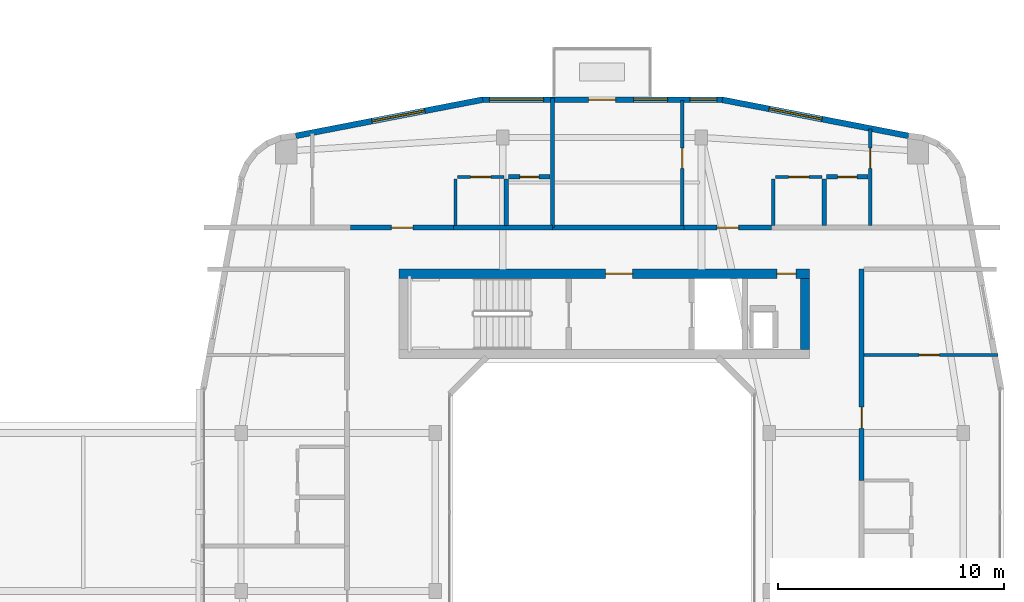
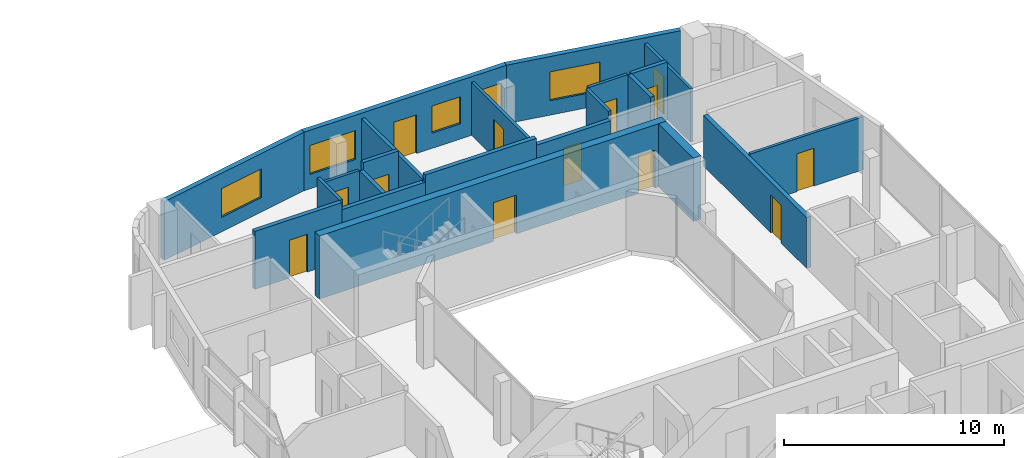
# One storey, part 15 of 22: 22 walls, 13 doors, 5 windows, 18 openings.
"""IFC4 building model written with IfcOpenShell, lengths in metres."""

from ifc_helpers import new_model, si_unit, derived_unit, direction, frame, frame_2d, origin, place, context, subcontext, project, spatial, rectangle, extrude, material, layer, layer_set, type_object, element, fill, save


model = new_model("IFC4")

# Units and contexts
model_context = context("Model", 3, precision=1e-05, world=origin(), true_north=direction((0.0, 1.0)))
body_context = subcontext(model_context, "Body", "Model", "MODEL_VIEW")
ifc_project = project(units=[si_unit("LENGTHUNIT", "METRE"), si_unit("AREAUNIT", "SQUARE_METRE"), si_unit("VOLUMEUNIT", "CUBIC_METRE"), si_unit("PLANEANGLEUNIT", "RADIAN"), si_unit("MASSUNIT", "GRAM", prefix="KILO"), derived_unit("THERMALTRANSMITTANCEUNIT", [(si_unit("POWERUNIT", "WATT"), 1), (si_unit("LENGTHUNIT", "METRE"), -2), (si_unit("THERMODYNAMICTEMPERATUREUNIT", "KELVIN"), -1)])], contexts=[model_context])

# Site, building, storey
site_placement = place(None, origin())
site = spatial("IfcSite", under=ifc_project, at=site_placement, CompositionType="ELEMENT")
building_placement = place(site_placement, origin())
building = spatial("IfcBuilding", under=site, at=building_placement, Name="Kivonza Crest Hotel", CompositionType="ELEMENT")
storey_placement = place(building_placement, frame((0.0, 0.0, 124.0)))
storey = spatial("IfcBuildingStorey", under=building, at=storey_placement, Name="L33", CompositionType="ELEMENT", Elevation=124.0)

# Walls
ifc_material_1 = material(Name="High-density acoustic masonry inter-tenancy wall", Category="masonry")
ifc_layer_1 = layer(ifc_material_1, 0.179931640625)
ifc_layer_set_1 = layer_set([ifc_layer_1], Name="High-density acoustic masonry inter-tenancy wall")
wall_type_1 = type_object("IfcWallType", Name="WL-ACOU-180", PredefinedType="SOLIDWALL", material=ifc_layer_set_1)
wall_1_placement = place(storey_placement, frame((74.800048828125, 37.60009765625, 0.0), z_axis=(0.0, 0.0, 1.0), x_axis=(0.0, 1.0, 0.0)))
element("IfcWall", 1, at=wall_1_placement, inside=storey, type_object=wall_type_1, Name="L33 interior partition WA-L33-T2N-DIV1", PredefinedType="SOLIDWALL", context=body_context, shape_type="SweptSolid", body=[
    extrude(rectangle(XDim=5.739990234375, YDim=0.179931640625, at=frame_2d((2.8701171875, 0.0))), origin(), (0.0, 0.0, 1.0), 2.945068359375),
])
ifc_material_2 = material(Name="Autoclaved aerated concrete blockwork", Category="masonry")
ifc_layer_2 = layer(ifc_material_2, 0.219970703125)
ifc_layer_set_2 = layer_set([ifc_layer_2], Name="Autoclaved aerated concrete blockwork")
wall_type_2 = type_object("IfcWallType", Name="WL-ACOU-220", PredefinedType="SOLIDWALL", material=ifc_layer_set_2)
wall_2_placement = place(storey_placement, frame((70.419921875, 37.60009765625, 0.0), z_axis=(0.0, 0.0, 1.0), x_axis=(1.0, 0.0, 0.0)))
element("IfcWall", 2, at=wall_2_placement, inside=storey, type_object=wall_type_2, Name="L33 interior partition WA-L33-A01-RCORR", PredefinedType="SOLIDWALL", context=body_context, shape_type="SweptSolid", body=[
    extrude(rectangle(XDim=4.380126953125, YDim=0.219970703125, at=frame_2d((2.18994140625, 0.0))), origin(), (0.0, 0.0, 1.0), 2.824951171875),
])

# Wall, opening, door
wall_3_placement = place(storey_placement, frame((65.85009765625, 37.60009765625, 0.0), z_axis=(0.0, 0.0, 1.0), x_axis=(1.0, 0.0, 0.0)))
wall_3 = element("IfcWall", 3, at=wall_3_placement, inside=storey, type_object=wall_type_2, Name="L33 interior partition WA-L33-A01-MCORR", PredefinedType="SOLIDWALL", context=body_context, shape_type="SweptSolid", body=[
    extrude(rectangle(XDim=4.56982421875, YDim=0.219970703125, at=frame_2d((2.284912109375, 0.0))), origin(), (0.0, 0.0, 1.0), 3.219970703125),
])
opening_1_placement = place(wall_3_placement, frame((1.81005859375, 0.0, 0.0)))
opening_1 = element("IfcOpeningElement", 4, at=opening_1_placement, cuts=wall_3, Name="Opening DU-60", PredefinedType="OPENING", context=body_context, shape_type="SweptSolid", body=[
    extrude(rectangle(XDim=0.949951171875, YDim=2.10009765625, at=frame_2d((0.47509765625, 1.050048828125))), frame((0.0, 0.1201171875, 0.0), z_axis=(0.0, -1.0, 0.0), x_axis=(1.0, 0.0, 0.0)), (0.0, 0.0, 1.0), 0.239990234375),
])
ifc_material_3 = material(Name="Hardwood timber oak", Category="wood")
door_type_1 = type_object("IfcDoorType", Name="DR-UNIT-950", OperationType="NOTDEFINED", PredefinedType="DOOR", material=ifc_material_3)
door_1_placement = place(opening_1_placement, origin())
door_1 = element("IfcDoor", 5, at=door_1_placement, inside=storey, type_object=door_type_1, Name="L33 A01 apartment entrance fire door", OperationType="SINGLE_SWING_LEFT", OverallHeight=2.10009765625, OverallWidth=0.949951171875, PredefinedType="DOOR", context=body_context, shape_type="SweptSolid", body=[
    extrude(rectangle(XDim=0.949951171875, YDim=2.10009765625, at=frame_2d((0.47509765625, 1.050048828125))), frame((0.0, 0.02490234375, 0.0), z_axis=(0.0, -1.0, 0.0), x_axis=(1.0, 0.0, 0.0)), (0.0, 0.0, 1.0), 0.050048828125),
])
fill(opening_1, door_1)

# Wall
wall_4_placement = place(storey_placement, frame((74.800048828125, 37.60009765625, 0.0), z_axis=(0.0, 0.0, 1.0), x_axis=(1.0, 0.0, 0.0)))
element("IfcWall", 6, at=wall_4_placement, inside=storey, type_object=wall_type_2, Name="L33 interior partition WA-L33-A02-LCORR", PredefinedType="SOLIDWALL", context=body_context, shape_type="SweptSolid", body=[
    extrude(rectangle(XDim=5.829833984375, YDim=0.219970703125, at=frame_2d((2.9150390625, 0.0))), origin(), (0.0, 0.0, 1.0), 3.219970703125),
])

# Wall, opening, door
wall_5_placement = place(storey_placement, frame((80.6298828125, 37.60009765625, 0.0), z_axis=(0.0, 0.0, 1.0), x_axis=(1.0, 0.0, 0.0)))
wall_5 = element("IfcWall", 7, at=wall_5_placement, inside=storey, type_object=wall_type_2, Name="L33 interior partition WA-L33-A02-MCORR", PredefinedType="SOLIDWALL", context=body_context, shape_type="SweptSolid", body=[
    extrude(rectangle(XDim=3.880126953125, YDim=0.219970703125, at=frame_2d((1.93994140625, 0.0))), origin(), (0.0, 0.0, 1.0), 2.824951171875),
])
opening_2_placement = place(wall_5_placement, frame((1.465087890625, 0.0, 0.0)))
opening_2 = element("IfcOpeningElement", 8, at=opening_2_placement, cuts=wall_5, Name="Opening DU-60", PredefinedType="OPENING", context=body_context, shape_type="SweptSolid", body=[
    extrude(rectangle(XDim=0.949951171875, YDim=2.10009765625, at=frame_2d((0.47509765625, 1.050048828125))), frame((0.0, 0.1201171875, 0.0), z_axis=(0.0, -1.0, 0.0), x_axis=(1.0, 0.0, 0.0)), (0.0, 0.0, 1.0), 0.239990234375),
])
door_2_placement = place(opening_2_placement, origin())
door_2 = element("IfcDoor", 9, at=door_2_placement, inside=storey, type_object=door_type_1, Name="L33 A02 apartment entrance fire door", OperationType="SINGLE_SWING_RIGHT", OverallHeight=2.10009765625, OverallWidth=0.949951171875, PredefinedType="DOOR", context=body_context, shape_type="SweptSolid", body=[
    extrude(rectangle(XDim=0.949951171875, YDim=2.10009765625, at=frame_2d((0.47509765625, 1.050048828125))), frame((0.0, 0.02490234375, 0.0), z_axis=(0.0, -1.0, 0.0), x_axis=(1.0, 0.0, 0.0)), (0.0, 0.0, 1.0), 0.050048828125),
])
fill(opening_2, door_2)

wall_6_placement = place(storey_placement, frame((88.5, 26.39990234375, 0.0), z_axis=(0.0, 0.0, 1.0), x_axis=(0.0, 1.0, 0.0)))
wall_6 = element("IfcWall", 10, at=wall_6_placement, inside=storey, type_object=wall_type_2, Name="L33 interior partition WA-L33-A09-MCORR", PredefinedType="SOLIDWALL", context=body_context, shape_type="SweptSolid", body=[
    extrude(rectangle(XDim=9.360107421875, YDim=0.219970703125, at=frame_2d((4.68017578125, 0.0))), origin(), (0.0, 0.0, 1.0), 2.824951171875),
])
opening_3_placement = place(wall_6_placement, frame((2.304931640625, 0.0, 0.0)))
opening_3 = element("IfcOpeningElement", 11, at=opening_3_placement, cuts=wall_6, Name="Opening DU-60", PredefinedType="OPENING", context=body_context, shape_type="SweptSolid", body=[
    extrude(rectangle(XDim=0.949951171875, YDim=2.10009765625, at=frame_2d((0.47509765625, 1.050048828125))), frame((0.0, 0.1201171875, 0.0), z_axis=(0.0, -1.0, 0.0), x_axis=(1.0, 0.0, 0.0)), (0.0, 0.0, 1.0), 0.239990234375),
])
door_3_placement = place(opening_3_placement, frame((0.949951171875, 0.0, 0.0), z_axis=(0.0, 0.0, 1.0), x_axis=(-1.0, 0.0, 0.0)))
door_3 = element("IfcDoor", 12, at=door_3_placement, inside=storey, type_object=door_type_1, Name="L33 A09 apartment entrance fire door", OperationType="SINGLE_SWING_LEFT", OverallHeight=2.10009765625, OverallWidth=0.949951171875, PredefinedType="DOOR", context=body_context, shape_type="SweptSolid", body=[
    extrude(rectangle(XDim=0.949951171875, YDim=2.10009765625, at=frame_2d((0.47509765625, 1.050048828125))), frame((0.0, 0.02490234375, 0.0), z_axis=(0.0, -1.0, 0.0), x_axis=(1.0, 0.0, 0.0)), (0.0, 0.0, 1.0), 0.050048828125),
])
fill(opening_3, door_3)

# Wall, openings, doors
ifc_material_4 = material(Name="Concrete C50/60", Category="concrete")
ifc_layer_3 = layer(ifc_material_4, 0.39990234375)
ifc_layer_set_3 = layer_set([ifc_layer_3], Name="Concrete C50/60")
wall_type_3 = type_object("IfcWallType", Name="WL-CORE-400", PredefinedType="SHEAR", material=ifc_layer_set_3)
wall_7_placement = place(storey_placement, frame((68.0, 35.56005859375, 0.0), z_axis=(0.0, 0.0, 1.0), x_axis=(1.0, 0.0, 0.0)))
wall_7 = element("IfcWall", 13, at=wall_7_placement, inside=storey, type_object=wall_type_3, Name="Core wall T2-N North L33", PredefinedType="SHEAR", context=body_context, shape_type="SweptSolid", body=[
    extrude(rectangle(XDim=18.199951171875, YDim=0.39990234375, at=frame_2d((9.10009765625, 0.0))), origin(), (0.0, 0.0, 1.0), 3.5),
])
opening_4_placement = place(wall_7_placement, frame((9.14990234375, 0.0, 0.0)))
opening_4 = element("IfcOpeningElement", 14, at=opening_4_placement, cuts=wall_7, Name="Opening DF-60", PredefinedType="OPENING", context=body_context, shape_type="SweptSolid", body=[
    extrude(rectangle(XDim=1.199951171875, YDim=2.14990234375, at=frame_2d((0.60009765625, 1.074951171875))), frame((0.0, 0.2099609375, 0.0), z_axis=(0.0, -1.0, 0.0), x_axis=(1.0, 0.0, 0.0)), (0.0, 0.0, 1.0), 0.419921875),
])
opening_5_placement = place(wall_7_placement, frame((16.75, 0.0, 0.0)))
opening_5 = element("IfcOpeningElement", 15, at=opening_5_placement, cuts=wall_7, Name="Opening DF-60R", PredefinedType="OPENING", context=body_context, shape_type="SweptSolid", body=[
    extrude(rectangle(XDim=0.85009765625, YDim=2.10009765625, at=frame_2d((0.425048828125, 1.050048828125))), frame((0.0, 0.2099609375, 0.0), z_axis=(0.0, -1.0, 0.0), x_axis=(1.0, 0.0, 0.0)), (0.0, 0.0, 1.0), 0.419921875),
])
door_type_2 = type_object("IfcDoorType", Name="DR-FD60-1200", OperationType="NOTDEFINED", PredefinedType="DOOR", material=ifc_material_3)
door_4_placement = place(opening_4_placement, origin())
door_4 = element("IfcDoor", 16, at=door_4_placement, inside=storey, type_object=door_type_2, Name="L33 T2-N firefighting lobby fire door", OperationType="SINGLE_SWING_RIGHT", OverallHeight=2.14990234375, OverallWidth=1.199951171875, PredefinedType="DOOR", context=body_context, shape_type="SweptSolid", body=[
    extrude(rectangle(XDim=1.199951171875, YDim=2.14990234375, at=frame_2d((0.60009765625, 1.074951171875))), frame((0.0, 0.02490234375, 0.0), z_axis=(0.0, -1.0, 0.0), x_axis=(1.0, 0.0, 0.0)), (0.0, 0.0, 1.0), 0.050048828125),
])
fill(opening_4, door_4)
door_type_3 = type_object("IfcDoorType", Name="DR-FD60-850", OperationType="NOTDEFINED", PredefinedType="DOOR", material=ifc_material_3)
door_5_placement = place(opening_5_placement, origin())
door_5 = element("IfcDoor", 17, at=door_5_placement, inside=storey, type_object=door_type_3, Name="L33 T2-N core room door", OperationType="SINGLE_SWING_RIGHT", OverallHeight=2.10009765625, OverallWidth=0.85009765625, PredefinedType="DOOR", context=body_context, shape_type="SweptSolid", body=[
    extrude(rectangle(XDim=0.85009765625, YDim=2.10009765625, at=frame_2d((0.425048828125, 1.050048828125))), frame((0.0, 0.02490234375, 0.0), z_axis=(0.0, -1.0, 0.0), x_axis=(1.0, 0.0, 0.0)), (0.0, 0.0, 1.0), 0.050048828125),
])
fill(opening_5, door_5)

# Wall
wall_8_placement = place(storey_placement, frame((86.0, 32.199951171875, 0.0), z_axis=(0.0, 0.0, 1.0), x_axis=(0.0, 1.0, 0.0)))
element("IfcWall", 18, at=wall_8_placement, inside=storey, type_object=wall_type_3, Name="Core wall T2-N East L33", PredefinedType="SHEAR", context=body_context, shape_type="SweptSolid", body=[
    extrude(rectangle(XDim=3.16015625, YDim=0.39990234375, at=frame_2d((1.580078125, 0.0))), origin(), (0.0, 0.0, 1.0), 3.5),
])

# Wall, opening, window
ifc_material_5 = material(Name="Precast concrete C40/50", Category="concrete")
ifc_layer_4 = layer(ifc_material_5, 0.260009765625)
ifc_layer_set_4 = layer_set([ifc_layer_4], Name="Precast concrete C40/50")
wall_type_4 = type_object("IfcWallType", Name="WL-EXT-260", PredefinedType="STANDARD", material=ifc_layer_set_4)
wall_9_placement = place(storey_placement, frame((90.5830078125, 41.669921875, 0.0), z_axis=(0.0, 0.0, 1.0), x_axis=(-0.98174070399, 0.190224052445, 0.0)))
wall_9 = element("IfcWall", 19, at=wall_9_placement, inside=storey, type_object=wall_type_4, Name="L33 T2 exterior insulated wall 25", PredefinedType="STANDARD", context=body_context, shape_type="SweptSolid", body=[
    extrude(rectangle(XDim=8.41162109375, YDim=0.260009765625, at=frame_2d((4.205810546875, 0.0))), origin(), (0.0, 0.0, 1.0), 3.25),
])
opening_6_placement = place(wall_9_placement, frame((3.905029296875, 0.0, 0.800048828125)))
opening_6 = element("IfcOpeningElement", 20, at=opening_6_placement, cuts=wall_9, Name="Opening WN-05", PredefinedType="OPENING", context=body_context, shape_type="SweptSolid", body=[
    extrude(rectangle(XDim=2.39990234375, YDim=1.60009765625, at=frame_2d((1.199951171875, 0.800048828125))), frame((0.0, 0.14013671875, 0.0), z_axis=(0.0, -1.0, 0.0), x_axis=(1.0, 0.0, 0.0)), (0.0, 0.0, 1.0), 0.280029296875),
])
ifc_material_6 = material(Name="Thermally broken bronze aluminium and low-E double glazing", Category="aluminium")
window_type_1 = type_object("IfcWindowType", Name="WN-240x160", PartitioningType="TRIPLE_PANEL_VERTICAL", PredefinedType="WINDOW", material=ifc_material_6)
window_1_placement = place(opening_6_placement, origin())
window_1 = element("IfcWindow", 21, at=window_1_placement, inside=storey, type_object=window_type_1, Name="L33 T2 facade window 25", OverallHeight=1.60009765625, OverallWidth=2.39990234375, PartitioningType="SINGLE_PANEL", PredefinedType="WINDOW", context=body_context, shape_type="SweptSolid", body=[
    extrude(rectangle(XDim=2.39990234375, YDim=1.60009765625, at=frame_2d((1.199951171875, 0.800048828125))), frame((0.0, 0.030029296875, 0.0), z_axis=(0.0, -1.0, 0.0), x_axis=(1.0, 0.0, 0.0)), (0.0, 0.0, 1.0), 0.06005859375),
])
fill(opening_6, window_1)

# Wall, openings, door, windows
wall_10_placement = place(storey_placement, frame((82.364990234375, 43.27001953125, 0.0), z_axis=(0.0, 0.0, 1.0), x_axis=(-1.0, 0.0, 0.0)))
wall_10 = element("IfcWall", 22, at=wall_10_placement, inside=storey, type_object=wall_type_4, Name="L33 T2 exterior insulated wall 26", PredefinedType="STANDARD", context=body_context, shape_type="SweptSolid", body=[
    extrude(rectangle(XDim=10.695068359375, YDim=0.260009765625, at=frame_2d((5.34765625, 0.0))), origin(), (0.0, 0.0, 1.0), 3.25),
])
opening_7_placement = place(wall_10_placement, frame((4.764892578125, 0.0, 0.0)))
opening_7 = element("IfcOpeningElement", 23, at=opening_7_placement, cuts=wall_10, Name="Opening DT-120", PredefinedType="OPENING", context=body_context, shape_type="SweptSolid", body=[
    extrude(rectangle(XDim=1.199951171875, YDim=2.14990234375, at=frame_2d((0.60009765625, 1.074951171875))), frame((0.0, 0.14013671875, 0.0), z_axis=(0.0, -1.0, 0.0), x_axis=(1.0, 0.0, 0.0)), (0.0, 0.0, 1.0), 0.280029296875),
])
opening_8_placement = place(wall_10_placement, frame((0.277099609375, 0.0, 0.85009765625)))
opening_8 = element("IfcOpeningElement", 24, at=opening_8_placement, cuts=wall_10, Name="Opening WN-01", PredefinedType="OPENING", context=body_context, shape_type="SweptSolid", body=[
    extrude(rectangle(XDim=1.199951171875, YDim=1.5, at=frame_2d((0.60009765625, 0.75))), frame((0.0, 0.14013671875, 0.0), z_axis=(0.0, -1.0, 0.0), x_axis=(1.0, 0.0, 0.0)), (0.0, 0.0, 1.0), 0.280029296875),
])
opening_9_placement = place(wall_10_placement, frame((2.465087890625, 0.0, 0.85009765625)))
opening_9 = element("IfcOpeningElement", 25, at=opening_9_placement, cuts=wall_10, Name="Opening WN-02", PredefinedType="OPENING", context=body_context, shape_type="SweptSolid", body=[
    extrude(rectangle(XDim=1.5, YDim=1.5, at=frame_2d((0.75, 0.75))), frame((0.0, 0.14013671875, 0.0), z_axis=(0.0, -1.0, 0.0), x_axis=(1.0, 0.0, 0.0)), (0.0, 0.0, 1.0), 0.280029296875),
])
opening_10_placement = place(wall_10_placement, frame((7.9599609375, 0.0, 0.800048828125)))
opening_10 = element("IfcOpeningElement", 26, at=opening_10_placement, cuts=wall_10, Name="Opening WN-05", PredefinedType="OPENING", context=body_context, shape_type="SweptSolid", body=[
    extrude(rectangle(XDim=2.39990234375, YDim=1.60009765625, at=frame_2d((1.199951171875, 0.800048828125))), frame((0.0, 0.14013671875, 0.0), z_axis=(0.0, -1.0, 0.0), x_axis=(1.0, 0.0, 0.0)), (0.0, 0.0, 1.0), 0.280029296875),
])
ifc_material_7 = material(Name="Anodised bronze aluminium and laminated safety glass", Category="aluminium")
door_type_4 = type_object("IfcDoorType", Name="DR-TERR-1200", OperationType="NOTDEFINED", PredefinedType="DOOR", material=ifc_material_7)
door_6_placement = place(opening_7_placement, frame((1.199951171875, 0.0, 0.0), z_axis=(0.0, 0.0, 1.0), x_axis=(-1.0, 0.0, 0.0)))
door_6 = element("IfcDoor", 27, at=door_6_placement, inside=storey, type_object=door_type_4, Name="T2 L33 NE sky-garden bridge access door", OperationType="SINGLE_SWING_RIGHT", OverallHeight=2.14990234375, OverallWidth=1.199951171875, PredefinedType="DOOR", context=body_context, shape_type="SweptSolid", body=[
    extrude(rectangle(XDim=1.199951171875, YDim=2.14990234375, at=frame_2d((0.60009765625, 1.074951171875))), frame((0.0, 0.02490234375, 0.0), z_axis=(0.0, -1.0, 0.0), x_axis=(1.0, 0.0, 0.0)), (0.0, 0.0, 1.0), 0.050048828125),
])
fill(opening_7, door_6)
window_type_2 = type_object("IfcWindowType", Name="WN-120x150", PartitioningType="SINGLE_PANEL", PredefinedType="WINDOW", material=ifc_material_6)
window_2_placement = place(opening_8_placement, origin())
window_2 = element("IfcWindow", 28, at=window_2_placement, inside=storey, type_object=window_type_2, Name="L33 T2 facade window 26 bay 1", OverallHeight=1.5, OverallWidth=1.199951171875, PartitioningType="SINGLE_PANEL", PredefinedType="WINDOW", context=body_context, shape_type="SweptSolid", body=[
    extrude(rectangle(XDim=1.199951171875, YDim=1.5, at=frame_2d((0.60009765625, 0.75))), frame((0.0, 0.030029296875, 0.0), z_axis=(0.0, -1.0, 0.0), x_axis=(1.0, 0.0, 0.0)), (0.0, 0.0, 1.0), 0.06005859375),
])
fill(opening_8, window_2)
window_type_3 = type_object("IfcWindowType", Name="WN-150x150", PartitioningType="DOUBLE_PANEL_VERTICAL", PredefinedType="WINDOW", material=ifc_material_6)
window_3_placement = place(opening_9_placement, origin())
window_3 = element("IfcWindow", 29, at=window_3_placement, inside=storey, type_object=window_type_3, Name="L33 T2 facade window 26 bay 2", OverallHeight=1.5, OverallWidth=1.5, PartitioningType="SINGLE_PANEL", PredefinedType="WINDOW", context=body_context, shape_type="SweptSolid", body=[
    extrude(rectangle(XDim=1.5, YDim=1.5, at=frame_2d((0.75, 0.75))), frame((0.0, 0.030029296875, 0.0), z_axis=(0.0, -1.0, 0.0), x_axis=(1.0, 0.0, 0.0)), (0.0, 0.0, 1.0), 0.06005859375),
])
fill(opening_9, window_3)
window_4_placement = place(opening_10_placement, origin())
window_4 = element("IfcWindow", 30, at=window_4_placement, inside=storey, type_object=window_type_1, Name="L33 T2 facade window 26 bay 3", OverallHeight=1.60009765625, OverallWidth=2.39990234375, PartitioningType="SINGLE_PANEL", PredefinedType="WINDOW", context=body_context, shape_type="SweptSolid", body=[
    extrude(rectangle(XDim=2.39990234375, YDim=1.60009765625, at=frame_2d((1.199951171875, 0.800048828125))), frame((0.0, 0.030029296875, 0.0), z_axis=(0.0, -1.0, 0.0), x_axis=(1.0, 0.0, 0.0)), (0.0, 0.0, 1.0), 0.06005859375),
])
fill(opening_10, window_4)

# Wall, opening, window
wall_11_placement = place(storey_placement, frame((71.7099609375, 43.277099609375, 0.0), z_axis=(0.0, 0.0, 1.0), x_axis=(-0.981733729692, -0.190260043057, 0.0)))
wall_11 = element("IfcWall", 31, at=wall_11_placement, inside=storey, type_object=wall_type_4, Name="L33 T2 exterior insulated wall 27", PredefinedType="STANDARD", context=body_context, shape_type="SweptSolid", body=[
    extrude(rectangle(XDim=8.447265625, YDim=0.260009765625, at=frame_2d((4.2236328125, 0.0))), origin(), (0.0, 0.0, 1.0), 3.25),
])
opening_11_placement = place(wall_11_placement, frame((2.60791015625, 0.0, 0.800048828125)))
opening_11 = element("IfcOpeningElement", 32, at=opening_11_placement, cuts=wall_11, Name="Opening WN-05", PredefinedType="OPENING", context=body_context, shape_type="SweptSolid", body=[
    extrude(rectangle(XDim=2.39990234375, YDim=1.60009765625, at=frame_2d((1.199951171875, 0.800048828125))), frame((0.0, 0.14013671875, 0.0), z_axis=(0.0, -1.0, 0.0), x_axis=(1.0, 0.0, 0.0)), (0.0, 0.0, 1.0), 0.280029296875),
])
window_5_placement = place(opening_11_placement, origin())
window_5 = element("IfcWindow", 33, at=window_5_placement, inside=storey, type_object=window_type_1, Name="L33 T2 facade window 27", OverallHeight=1.60009765625, OverallWidth=2.39990234375, PartitioningType="SINGLE_PANEL", PredefinedType="WINDOW", context=body_context, shape_type="SweptSolid", body=[
    extrude(rectangle(XDim=2.39990234375, YDim=1.60009765625, at=frame_2d((1.199951171875, 0.800048828125))), frame((0.0, 0.030029296875, 0.0), z_axis=(0.0, -1.0, 0.0), x_axis=(1.0, 0.0, 0.0)), (0.0, 0.0, 1.0), 0.06005859375),
])
fill(opening_11, window_5)

# Wall
ifc_material_8 = material(Name="Twin-stud acoustic gypsum board partition", Category="gypsum")
ifc_layer_5 = layer(ifc_material_8, 0.14990234375)
ifc_layer_set_5 = layer_set([ifc_layer_5], Name="Twin-stud acoustic gypsum board partition")
wall_type_5 = type_object("IfcWallType", Name="WL-PART-150", PredefinedType="PARTITIONING", material=ifc_layer_set_5)
wall_12_placement = place(storey_placement, frame((70.5, 37.699951171875, 0.0), z_axis=(0.0, 0.0, 1.0), x_axis=(0.0, 1.0, 0.0)))
element("IfcWall", 34, at=wall_12_placement, inside=storey, type_object=wall_type_5, Name="L33 interior partition WP-L33-A01-KF", PredefinedType="PARTITIONING", context=body_context, shape_type="SweptSolid", body=[
    extrude(rectangle(XDim=2.050048828125, YDim=0.14990234375, at=frame_2d((1.02490234375, 0.0))), origin(), (0.0, 0.0, 1.0), 3.219970703125),
])

# Wall, opening, door
wall_13_placement = place(storey_placement, frame((70.60009765625, 39.85009765625, 0.0), z_axis=(0.0, 0.0, 1.0), x_axis=(1.0, 0.0, 0.0)))
wall_13 = element("IfcWall", 35, at=wall_13_placement, inside=storey, type_object=wall_type_5, Name="L33 interior partition WP-L33-A01-KSVC", PredefinedType="PARTITIONING", context=body_context, shape_type="SweptSolid", body=[
    extrude(rectangle(XDim=2.0498046875, YDim=0.14990234375, at=frame_2d((1.02490234375, 0.0))), origin(), (0.0, 0.0, 1.0), 2.824951171875),
])
opening_12_placement = place(wall_13_placement, frame((0.574951171875, 0.0, 0.0)))
opening_12 = element("IfcOpeningElement", 36, at=opening_12_placement, cuts=wall_13, Name="Opening DI-90", PredefinedType="OPENING", context=body_context, shape_type="SweptSolid", body=[
    extrude(rectangle(XDim=0.89990234375, YDim=2.10009765625, at=frame_2d((0.449951171875, 1.050048828125))), frame((0.0, 0.0849609375, 0.0), z_axis=(0.0, -1.0, 0.0), x_axis=(1.0, 0.0, 0.0)), (0.0, 0.0, 1.0), 0.169921875),
])
door_type_5 = type_object("IfcDoorType", Name="DR-INT-900", OperationType="NOTDEFINED", PredefinedType="DOOR", material=ifc_material_3)
door_7_placement = place(opening_12_placement, origin())
door_7 = element("IfcDoor", 37, at=door_7_placement, inside=storey, type_object=door_type_5, Name="L33 A01 apartment kitchen door", OperationType="SINGLE_SWING_LEFT", OverallHeight=2.10009765625, OverallWidth=0.89990234375, PredefinedType="DOOR", context=body_context, shape_type="SweptSolid", body=[
    extrude(rectangle(XDim=0.89990234375, YDim=2.10009765625, at=frame_2d((0.449951171875, 1.050048828125))), frame((0.0, 0.02490234375, 0.0), z_axis=(0.0, -1.0, 0.0), x_axis=(1.0, 0.0, 0.0)), (0.0, 0.0, 1.0), 0.050048828125),
])
fill(opening_12, door_7)

wall_14_placement = place(storey_placement, frame((80.550048828125, 37.699951171875, 0.0), z_axis=(0.0, 0.0, 1.0), x_axis=(0.0, 1.0, 0.0)))
wall_14 = element("IfcWall", 38, at=wall_14_placement, inside=storey, type_object=wall_type_5, Name="L33 interior partition WP-L33-A02-BDW1", PredefinedType="PARTITIONING", context=body_context, shape_type="SweptSolid", body=[
    extrude(rectangle(XDim=5.5400390625, YDim=0.14990234375, at=frame_2d((2.77001953125, 0.0))), origin(), (0.0, 0.0, 1.0), 2.945068359375),
])
opening_13_placement = place(wall_14_placement, frame((2.530029296875, 0.0, 0.0)))
opening_13 = element("IfcOpeningElement", 39, at=opening_13_placement, cuts=wall_14, Name="Opening DI-90", PredefinedType="OPENING", context=body_context, shape_type="SweptSolid", body=[
    extrude(rectangle(XDim=0.89990234375, YDim=2.10009765625, at=frame_2d((0.449951171875, 1.050048828125))), frame((0.0, 0.0849609375, 0.0), z_axis=(0.0, -1.0, 0.0), x_axis=(1.0, 0.0, 0.0)), (0.0, 0.0, 1.0), 0.169921875),
])
door_8_placement = place(opening_13_placement, origin())
door_8 = element("IfcDoor", 40, at=door_8_placement, inside=storey, type_object=door_type_5, Name="L33 A02 bedroom 1 door", OperationType="SINGLE_SWING_LEFT", OverallHeight=2.10009765625, OverallWidth=0.89990234375, PredefinedType="DOOR", context=body_context, shape_type="SweptSolid", body=[
    extrude(rectangle(XDim=0.89990234375, YDim=2.10009765625, at=frame_2d((0.449951171875, 1.050048828125))), frame((0.0, 0.02490234375, 0.0), z_axis=(0.0, -1.0, 0.0), x_axis=(1.0, 0.0, 0.0)), (0.0, 0.0, 1.0), 0.050048828125),
])
fill(opening_13, door_8)

wall_15_placement = place(storey_placement, frame((88.889892578125, 37.699951171875, 0.0), z_axis=(0.0, 0.0, 1.0), x_axis=(0.0, 1.0, 0.0)))
wall_15 = element("IfcWall", 41, at=wall_15_placement, inside=storey, type_object=wall_type_5, Name="L33 interior partition WP-L33-A02-BDW2", PredefinedType="PARTITIONING", context=body_context, shape_type="SweptSolid", body=[
    extrude(rectangle(XDim=4.27001953125, YDim=0.14990234375, at=frame_2d((2.135009765625, 0.0))), origin(), (0.0, 0.0, 1.0), 2.945068359375),
])
opening_14_placement = place(wall_15_placement, frame((2.530029296875, 0.0, 0.0)))
opening_14 = element("IfcOpeningElement", 42, at=opening_14_placement, cuts=wall_15, Name="Opening DI-90", PredefinedType="OPENING", context=body_context, shape_type="SweptSolid", body=[
    extrude(rectangle(XDim=0.89990234375, YDim=2.10009765625, at=frame_2d((0.449951171875, 1.050048828125))), frame((0.0, 0.0849609375, 0.0), z_axis=(0.0, -1.0, 0.0), x_axis=(1.0, 0.0, 0.0)), (0.0, 0.0, 1.0), 0.169921875),
])
door_9_placement = place(opening_14_placement, origin())
door_9 = element("IfcDoor", 43, at=door_9_placement, inside=storey, type_object=door_type_5, Name="L33 A02 bedroom 2 door", OperationType="SINGLE_SWING_RIGHT", OverallHeight=2.10009765625, OverallWidth=0.89990234375, PredefinedType="DOOR", context=body_context, shape_type="SweptSolid", body=[
    extrude(rectangle(XDim=0.89990234375, YDim=2.10009765625, at=frame_2d((0.449951171875, 1.050048828125))), frame((0.0, 0.02490234375, 0.0), z_axis=(0.0, -1.0, 0.0), x_axis=(1.0, 0.0, 0.0)), (0.0, 0.0, 1.0), 0.050048828125),
])
fill(opening_14, door_9)

# Wall
wall_16_placement = place(storey_placement, frame((84.590087890625, 37.699951171875, 0.0), z_axis=(0.0, 0.0, 1.0), x_axis=(0.0, 1.0, 0.0)))
element("IfcWall", 44, at=wall_16_placement, inside=storey, type_object=wall_type_5, Name="L33 interior partition WP-L33-A02-KF", PredefinedType="PARTITIONING", context=body_context, shape_type="SweptSolid", body=[
    extrude(rectangle(XDim=2.050048828125, YDim=0.14990234375, at=frame_2d((1.02490234375, 0.0))), origin(), (0.0, 0.0, 1.0), 3.219970703125),
])

# Wall, opening, door
wall_17_placement = place(storey_placement, frame((84.68994140625, 39.85009765625, 0.0), z_axis=(0.0, 0.0, 1.0), x_axis=(1.0, 0.0, 0.0)))
wall_17 = element("IfcWall", 45, at=wall_17_placement, inside=storey, type_object=wall_type_5, Name="L33 interior partition WP-L33-A02-KSVC", PredefinedType="PARTITIONING", context=body_context, shape_type="SweptSolid", body=[
    extrude(rectangle(XDim=2.050048828125, YDim=0.14990234375, at=frame_2d((1.02490234375, 0.0))), origin(), (0.0, 0.0, 1.0), 3.219970703125),
])
opening_15_placement = place(wall_17_placement, frame((0.574951171875, 0.0, 0.0)))
opening_15 = element("IfcOpeningElement", 46, at=opening_15_placement, cuts=wall_17, Name="Opening DI-90", PredefinedType="OPENING", context=body_context, shape_type="SweptSolid", body=[
    extrude(rectangle(XDim=0.89990234375, YDim=2.10009765625, at=frame_2d((0.449951171875, 1.050048828125))), frame((0.0, 0.0849609375, 0.0), z_axis=(0.0, -1.0, 0.0), x_axis=(1.0, 0.0, 0.0)), (0.0, 0.0, 1.0), 0.169921875),
])
door_10_placement = place(opening_15_placement, origin())
door_10 = element("IfcDoor", 47, at=door_10_placement, inside=storey, type_object=door_type_5, Name="L33 A02 apartment kitchen door", OperationType="SINGLE_SWING_RIGHT", OverallHeight=2.10009765625, OverallWidth=0.89990234375, PredefinedType="DOOR", context=body_context, shape_type="SweptSolid", body=[
    extrude(rectangle(XDim=0.89990234375, YDim=2.10009765625, at=frame_2d((0.449951171875, 1.050048828125))), frame((0.0, 0.02490234375, 0.0), z_axis=(0.0, -1.0, 0.0), x_axis=(1.0, 0.0, 0.0)), (0.0, 0.0, 1.0), 0.050048828125),
])
fill(opening_15, door_10)

wall_18_placement = place(storey_placement, frame((88.60009765625, 31.9599609375, 0.0), z_axis=(0.0, 0.0, 1.0), x_axis=(1.0, 0.0, 0.0)))
wall_18 = element("IfcWall", 48, at=wall_18_placement, inside=storey, type_object=wall_type_5, Name="L33 interior partition WP-L33-A09-BD1", PredefinedType="PARTITIONING", context=body_context, shape_type="SweptSolid", body=[
    extrude(rectangle(XDim=5.93994140625, YDim=0.14990234375, at=frame_2d((2.969970703125, 0.0))), origin(), (0.0, 0.0, 1.0), 2.945068359375),
])
opening_16_placement = place(wall_18_placement, frame((2.449951171875, 0.0, 0.0)))
opening_16 = element("IfcOpeningElement", 49, at=opening_16_placement, cuts=wall_18, Name="Opening DI-90", PredefinedType="OPENING", context=body_context, shape_type="SweptSolid", body=[
    extrude(rectangle(XDim=0.89990234375, YDim=2.10009765625, at=frame_2d((0.449951171875, 1.050048828125))), frame((0.0, 0.0849609375, 0.0), z_axis=(0.0, -1.0, 0.0), x_axis=(1.0, 0.0, 0.0)), (0.0, 0.0, 1.0), 0.169921875),
])
door_11_placement = place(opening_16_placement, origin())
door_11 = element("IfcDoor", 50, at=door_11_placement, inside=storey, type_object=door_type_5, Name="L33 A09 bedroom door", OperationType="SINGLE_SWING_RIGHT", OverallHeight=2.10009765625, OverallWidth=0.89990234375, PredefinedType="DOOR", context=body_context, shape_type="SweptSolid", body=[
    extrude(rectangle(XDim=0.89990234375, YDim=2.10009765625, at=frame_2d((0.449951171875, 1.050048828125))), frame((0.0, 0.02490234375, 0.0), z_axis=(0.0, -1.0, 0.0), x_axis=(1.0, 0.0, 0.0)), (0.0, 0.0, 1.0), 0.050048828125),
])
fill(opening_16, door_11)

# Wall
ifc_material_9 = material(Name="Moisture-resistant plumbing chase partition wall", Category="gypsum")
ifc_layer_6 = layer(ifc_material_9, 0.199951171875)
ifc_layer_set_6 = layer_set([ifc_layer_6], Name="Moisture-resistant plumbing chase partition wall")
wall_type_6 = type_object("IfcWallType", Name="WL-PLUMB-200", PredefinedType="PLUMBINGWALL", material=ifc_layer_set_6)
wall_19_placement = place(storey_placement, frame((72.75, 37.699951171875, 0.0), z_axis=(0.0, 0.0, 1.0), x_axis=(0.0, 1.0, 0.0)))
element("IfcWall", 51, at=wall_19_placement, inside=storey, type_object=wall_type_6, Name="L33 interior partition WW-L33-A01-BK", PredefinedType="PLUMBINGWALL", context=body_context, shape_type="SweptSolid", body=[
    extrude(rectangle(XDim=2.050048828125, YDim=0.199951171875, at=frame_2d((1.02490234375, 0.0))), origin(), (0.0, 0.0, 1.0), 2.824951171875),
])

# Wall, opening, door
wall_20_placement = place(storey_placement, frame((72.85009765625, 39.85009765625, 0.0), z_axis=(0.0, 0.0, 1.0), x_axis=(1.0, 0.0, 0.0)))
wall_20 = element("IfcWall", 52, at=wall_20_placement, inside=storey, type_object=wall_type_6, Name="L33 interior partition WW-L33-A01-BSVC", PredefinedType="PLUMBINGWALL", context=body_context, shape_type="SweptSolid", body=[
    extrude(rectangle(XDim=1.849853515625, YDim=0.199951171875, at=frame_2d((0.9248046875, 0.0))), origin(), (0.0, 0.0, 1.0), 3.219970703125),
])
opening_17_placement = place(wall_20_placement, frame((0.5, 0.0, 0.0)))
opening_17 = element("IfcOpeningElement", 53, at=opening_17_placement, cuts=wall_20, Name="Opening DI-85", PredefinedType="OPENING", context=body_context, shape_type="SweptSolid", body=[
    extrude(rectangle(XDim=0.85009765625, YDim=2.10009765625, at=frame_2d((0.425048828125, 1.050048828125))), frame((0.0, 0.10986328125, 0.0), z_axis=(0.0, -1.0, 0.0), x_axis=(1.0, 0.0, 0.0)), (0.0, 0.0, 1.0), 0.219970703125),
])
door_type_6 = type_object("IfcDoorType", Name="DR-INT-850", OperationType="NOTDEFINED", PredefinedType="DOOR", material=ifc_material_3)
door_12_placement = place(opening_17_placement, origin())
door_12 = element("IfcDoor", 54, at=door_12_placement, inside=storey, type_object=door_type_6, Name="L33 A01 apartment bathroom door", OperationType="SINGLE_SWING_RIGHT", OverallHeight=2.10009765625, OverallWidth=0.85009765625, PredefinedType="DOOR", context=body_context, shape_type="SweptSolid", body=[
    extrude(rectangle(XDim=0.85009765625, YDim=2.10009765625, at=frame_2d((0.425048828125, 1.050048828125))), frame((0.0, 0.02490234375, 0.0), z_axis=(0.0, -1.0, 0.0), x_axis=(1.0, 0.0, 0.0)), (0.0, 0.0, 1.0), 0.050048828125),
])
fill(opening_17, door_12)

# Wall
wall_21_placement = place(storey_placement, frame((86.840087890625, 37.699951171875, 0.0), z_axis=(0.0, 0.0, 1.0), x_axis=(0.0, 1.0, 0.0)))
element("IfcWall", 55, at=wall_21_placement, inside=storey, type_object=wall_type_6, Name="L33 interior partition WW-L33-A02-BK", PredefinedType="PLUMBINGWALL", context=body_context, shape_type="SweptSolid", body=[
    extrude(rectangle(XDim=2.050048828125, YDim=0.199951171875, at=frame_2d((1.02490234375, 0.0))), origin(), (0.0, 0.0, 1.0), 3.219970703125),
])

# Wall, opening, door
wall_22_placement = place(storey_placement, frame((86.93994140625, 39.85009765625, 0.0), z_axis=(0.0, 0.0, 1.0), x_axis=(1.0, 0.0, 0.0)))
wall_22 = element("IfcWall", 56, at=wall_22_placement, inside=storey, type_object=wall_type_6, Name="L33 interior partition WW-L33-A02-BSVC", PredefinedType="PLUMBINGWALL", context=body_context, shape_type="SweptSolid", body=[
    extrude(rectangle(XDim=1.85009765625, YDim=0.199951171875, at=frame_2d((0.925048828125, 0.0))), origin(), (0.0, 0.0, 1.0), 3.219970703125),
])
opening_18_placement = place(wall_22_placement, frame((0.5, 0.0, 0.0)))
opening_18 = element("IfcOpeningElement", 57, at=opening_18_placement, cuts=wall_22, Name="Opening DI-85", PredefinedType="OPENING", context=body_context, shape_type="SweptSolid", body=[
    extrude(rectangle(XDim=0.85009765625, YDim=2.10009765625, at=frame_2d((0.425048828125, 1.050048828125))), frame((0.0, 0.10986328125, 0.0), z_axis=(0.0, -1.0, 0.0), x_axis=(1.0, 0.0, 0.0)), (0.0, 0.0, 1.0), 0.219970703125),
])
door_13_placement = place(opening_18_placement, origin())
door_13 = element("IfcDoor", 58, at=door_13_placement, inside=storey, type_object=door_type_6, Name="L33 A02 apartment bathroom door", OperationType="SINGLE_SWING_LEFT", OverallHeight=2.10009765625, OverallWidth=0.85009765625, PredefinedType="DOOR", context=body_context, shape_type="SweptSolid", body=[
    extrude(rectangle(XDim=0.85009765625, YDim=2.10009765625, at=frame_2d((0.425048828125, 1.050048828125))), frame((0.0, 0.02490234375, 0.0), z_axis=(0.0, -1.0, 0.0), x_axis=(1.0, 0.0, 0.0)), (0.0, 0.0, 1.0), 0.050048828125),
])
fill(opening_18, door_13)

save(model, "model.ifc")
